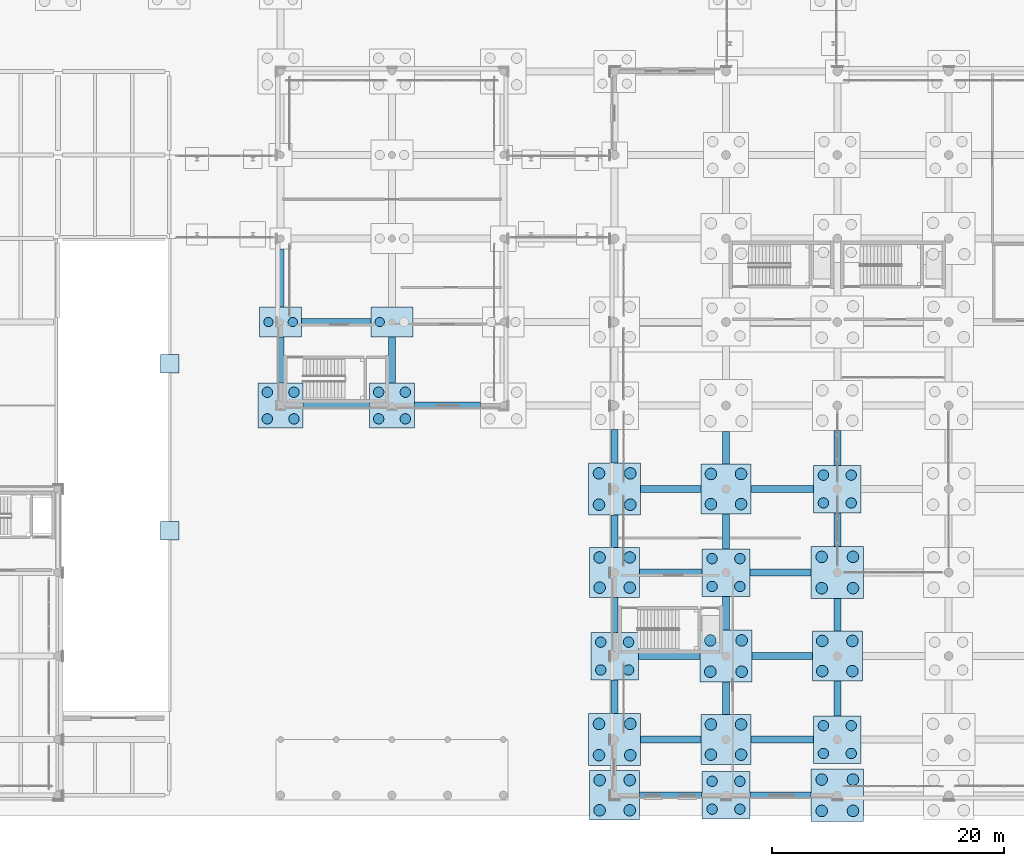
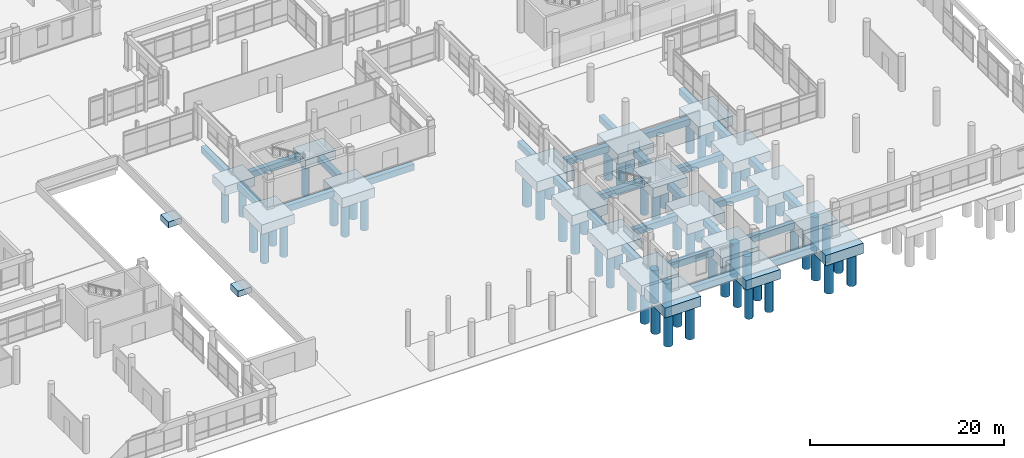
# One storey, part 1 of 196: 71 piles, 49 footings.
"""IFC4 building model written with IfcOpenShell, lengths in metres."""

from ifc_helpers import new_model, si_unit, direction, frame, origin, origin_2d, place, context, subcontext, project, spatial, rectangle, circle, extrude, material, material_profile, profile_set, type_object, element, save


model = new_model("IFC4")

# Units and contexts
model_context = context("Model", 3, precision=1e-05, world=origin(), true_north=direction((0.0, 1.0)))
body_context = subcontext(model_context, "Body", "Model", "MODEL_VIEW")
ifc_project = project(units=[si_unit("LENGTHUNIT", "METRE"), si_unit("AREAUNIT", "SQUARE_METRE"), si_unit("VOLUMEUNIT", "CUBIC_METRE"), si_unit("PLANEANGLEUNIT", "RADIAN"), si_unit("MASSUNIT", "GRAM", prefix="KILO")], contexts=[model_context])

# Site, building, storey
site_placement = place(None, origin())
site = spatial("IfcSite", under=ifc_project, at=site_placement, CompositionType="ELEMENT")
building_placement = place(site_placement, origin())
building = spatial("IfcBuilding", under=site, at=building_placement, Name="Asteropetra Specialist Clinic", CompositionType="ELEMENT")
storey_placement = place(building_placement, origin())
storey = spatial("IfcBuildingStorey", under=building, at=storey_placement, Name="L00", CompositionType="ELEMENT", Elevation=0.0)

# Footings
ifc_material_1 = material(Name="Concrete C35/45", Category="concrete")
ifc_material_profile_1 = material_profile(ifc_material_1, rectangle(XDim=0.60009765625, YDim=0.800048828125, at=origin_2d()), Name="FB 600x800")
ifc_profile_set_1 = profile_set([ifc_material_profile_1], Name="Concrete C35/45")
footing_type_1 = type_object("IfcFootingType", Name="FB-600x800", PredefinedType="FOOTING_BEAM", material=ifc_profile_set_1)
footing_1_placement = place(storey_placement, frame((78.75, 33.60009765625, -0.840087890625), z_axis=(1.0, 0.0, 0.0), x_axis=(0.0, 1.0, 0.0)))
element("IfcFooting", 1, at=footing_1_placement, inside=storey, type_object=footing_type_1, Name="Footing Tie Beam FB-0237", PredefinedType="FOOTING_BEAM", context=body_context, shape_type="SweptSolid", body=[
    extrude(rectangle(XDim=0.60009765625, YDim=0.800048828125, at=origin_2d()), origin(), (0.0, 0.0, 1.0), 5.699951171875),
])
footing_2_placement = place(storey_placement, frame((76.800048828125, 35.550048828125, -0.840087890625), z_axis=(0.0, 1.0, 0.0), x_axis=(-1.0, 0.0, 0.0)))
element("IfcFooting", 2, at=footing_2_placement, inside=storey, type_object=footing_type_1, Name="Footing Tie Beam FB-0238", PredefinedType="FOOTING_BEAM", context=body_context, shape_type="SweptSolid", body=[
    extrude(rectangle(XDim=0.60009765625, YDim=0.800048828125, at=origin_2d()), origin(), (0.0, 0.0, 1.0), 3.949951171875),
])
footing_3_placement = place(storey_placement, frame((78.60009765625, 40.800048828125, -0.840087890625), z_axis=(1.0, 0.0, 0.0), x_axis=(0.0, 1.0, 0.0)))
element("IfcFooting", 3, at=footing_3_placement, inside=storey, type_object=footing_type_1, Name="Footing Tie Beam FB-0239", PredefinedType="FOOTING_BEAM", context=body_context, shape_type="SweptSolid", body=[
    extrude(rectangle(XDim=0.60009765625, YDim=0.800048828125, at=origin_2d()), origin(), (0.0, 0.0, 1.0), 6.0),
])
footing_4_placement = place(storey_placement, frame((76.800048828125, 42.10009765625, -0.840087890625), z_axis=(0.0, 1.0, 0.0), x_axis=(-1.0, 0.0, 0.0)))
element("IfcFooting", 4, at=footing_4_placement, inside=storey, type_object=footing_type_1, Name="Footing Tie Beam FB-0240", PredefinedType="FOOTING_BEAM", context=body_context, shape_type="SweptSolid", body=[
    extrude(rectangle(XDim=0.60009765625, YDim=0.800048828125, at=origin_2d()), origin(), (0.0, 0.0, 1.0), 5.0),
])
footing_5_placement = place(storey_placement, frame((88.35009765625, 33.60009765625, -0.840087890625), z_axis=(1.0, 0.0, 0.0), x_axis=(0.0, 1.0, 0.0)))
element("IfcFooting", 5, at=footing_5_placement, inside=storey, type_object=footing_type_1, Name="Footing Tie Beam FB-0261", PredefinedType="FOOTING_BEAM", context=body_context, shape_type="SweptSolid", body=[
    extrude(rectangle(XDim=0.60009765625, YDim=0.800048828125, at=origin_2d()), origin(), (0.0, 0.0, 1.0), 5.699951171875),
])
footing_6_placement = place(storey_placement, frame((86.39990234375, 35.550048828125, -0.840087890625), z_axis=(0.0, 1.0, 0.0), x_axis=(-1.0, 0.0, 0.0)))
element("IfcFooting", 6, at=footing_6_placement, inside=storey, type_object=footing_type_1, Name="Footing Tie Beam FB-0262", PredefinedType="FOOTING_BEAM", context=body_context, shape_type="SweptSolid", body=[
    extrude(rectangle(XDim=0.60009765625, YDim=0.800048828125, at=origin_2d()), origin(), (0.0, 0.0, 1.0), 3.949951171875),
])
footing_7_placement = place(storey_placement, frame((107.75, 0.0, -0.840087890625), z_axis=(1.0, 0.0, 0.0), x_axis=(0.0, 1.0, 0.0)))
element("IfcFooting", 7, at=footing_7_placement, inside=storey, type_object=footing_type_1, Name="Footing Tie Beam FB-0297", PredefinedType="FOOTING_BEAM", context=body_context, shape_type="SweptSolid", body=[
    extrude(rectangle(XDim=0.60009765625, YDim=0.800048828125, at=origin_2d()), origin(), (0.0, 0.0, 1.0), 5.39990234375),
])
footing_8_placement = place(storey_placement, frame((107.85009765625, 4.800048828125, -0.840087890625), z_axis=(1.0, 0.0, 0.0), x_axis=(0.0, 1.0, 0.0)))
element("IfcFooting", 8, at=footing_8_placement, inside=storey, type_object=footing_type_1, Name="Footing Tie Beam FB-0298", PredefinedType="FOOTING_BEAM", context=body_context, shape_type="SweptSolid", body=[
    extrude(rectangle(XDim=0.60009765625, YDim=0.800048828125, at=origin_2d()), origin(), (0.0, 0.0, 1.0), 5.199951171875),
])
footing_9_placement = place(storey_placement, frame((105.60009765625, 7.050048828125, -0.840087890625), z_axis=(0.0, 1.0, 0.0), x_axis=(-1.0, 0.0, 0.0)))
element("IfcFooting", 9, at=footing_9_placement, inside=storey, type_object=footing_type_1, Name="Footing Tie Beam FB-0299", PredefinedType="FOOTING_BEAM", context=body_context, shape_type="SweptSolid", body=[
    extrude(rectangle(XDim=0.60009765625, YDim=0.800048828125, at=origin_2d()), origin(), (0.0, 0.0, 1.0), 2.89990234375),
])
footing_10_placement = place(storey_placement, frame((107.64990234375, 12.0, -0.840087890625), z_axis=(1.0, 0.0, 0.0), x_axis=(0.0, 1.0, 0.0)))
element("IfcFooting", 10, at=footing_10_placement, inside=storey, type_object=footing_type_1, Name="Footing Tie Beam FB-0300", PredefinedType="FOOTING_BEAM", context=body_context, shape_type="SweptSolid", body=[
    extrude(rectangle(XDim=0.60009765625, YDim=0.800048828125, at=origin_2d()), origin(), (0.0, 0.0, 1.0), 5.300048828125),
])
footing_11_placement = place(storey_placement, frame((105.60009765625, 14.050048828125, -0.840087890625), z_axis=(0.0, 1.0, 0.0), x_axis=(-1.0, 0.0, 0.0)))
element("IfcFooting", 11, at=footing_11_placement, inside=storey, type_object=footing_type_1, Name="Footing Tie Beam FB-0301", PredefinedType="FOOTING_BEAM", context=body_context, shape_type="SweptSolid", body=[
    extrude(rectangle(XDim=0.60009765625, YDim=0.800048828125, at=origin_2d()), origin(), (0.0, 0.0, 1.0), 3.0),
])
footing_12_placement = place(storey_placement, frame((107.75, 19.199951171875, -0.840087890625), z_axis=(1.0, 0.0, 0.0), x_axis=(0.0, 1.0, 0.0)))
element("IfcFooting", 12, at=footing_12_placement, inside=storey, type_object=footing_type_1, Name="Footing Tie Beam FB-0302", PredefinedType="FOOTING_BEAM", context=body_context, shape_type="SweptSolid", body=[
    extrude(rectangle(XDim=0.60009765625, YDim=0.800048828125, at=origin_2d()), origin(), (0.0, 0.0, 1.0), 5.39990234375),
])
footing_13_placement = place(storey_placement, frame((105.60009765625, 21.35009765625, -0.840087890625), z_axis=(0.0, 1.0, 0.0), x_axis=(-1.0, 0.0, 0.0)))
element("IfcFooting", 13, at=footing_13_placement, inside=storey, type_object=footing_type_1, Name="Footing Tie Beam FB-0303", PredefinedType="FOOTING_BEAM", context=body_context, shape_type="SweptSolid", body=[
    extrude(rectangle(XDim=0.60009765625, YDim=0.800048828125, at=origin_2d()), origin(), (0.0, 0.0, 1.0), 2.7998046875),
])
footing_14_placement = place(storey_placement, frame((107.85009765625, 26.39990234375, -0.840087890625), z_axis=(1.0, 0.0, 0.0), x_axis=(0.0, 1.0, 0.0)))
element("IfcFooting", 14, at=footing_14_placement, inside=storey, type_object=footing_type_1, Name="Footing Tie Beam FB-0304", PredefinedType="FOOTING_BEAM", context=body_context, shape_type="SweptSolid", body=[
    extrude(rectangle(XDim=0.60009765625, YDim=0.800048828125, at=origin_2d()), origin(), (0.0, 0.0, 1.0), 5.199951171875),
])
footing_15_placement = place(storey_placement, frame((105.60009765625, 28.64990234375, -0.840087890625), z_axis=(0.0, 1.0, 0.0), x_axis=(-1.0, 0.0, 0.0)))
element("IfcFooting", 15, at=footing_15_placement, inside=storey, type_object=footing_type_1, Name="Footing Tie Beam FB-0305", PredefinedType="FOOTING_BEAM", context=body_context, shape_type="SweptSolid", body=[
    extrude(rectangle(XDim=0.60009765625, YDim=0.800048828125, at=origin_2d()), origin(), (0.0, 0.0, 1.0), 2.900146484375),
])
footing_16_placement = place(storey_placement, frame((117.25, 0.0, -0.840087890625), z_axis=(1.0, 0.0, 0.0), x_axis=(0.0, 1.0, 0.0)))
element("IfcFooting", 16, at=footing_16_placement, inside=storey, type_object=footing_type_1, Name="Footing Tie Beam FB-0321", PredefinedType="FOOTING_BEAM", context=body_context, shape_type="SweptSolid", body=[
    extrude(rectangle(XDim=0.60009765625, YDim=0.800048828125, at=origin_2d()), origin(), (0.0, 0.0, 1.0), 5.300048828125),
])
footing_17_placement = place(storey_placement, frame((117.35009765625, 4.800048828125, -0.840087890625), z_axis=(1.0, 0.0, 0.0), x_axis=(0.0, 1.0, 0.0)))
element("IfcFooting", 17, at=footing_17_placement, inside=storey, type_object=footing_type_1, Name="Footing Tie Beam FB-0322", PredefinedType="FOOTING_BEAM", context=body_context, shape_type="SweptSolid", body=[
    extrude(rectangle(XDim=0.60009765625, YDim=0.800048828125, at=origin_2d()), origin(), (0.0, 0.0, 1.0), 5.39990234375),
])
footing_18_placement = place(storey_placement, frame((115.199951171875, 6.949951171875, -0.840087890625), z_axis=(0.0, 1.0, 0.0), x_axis=(-1.0, 0.0, 0.0)))
element("IfcFooting", 18, at=footing_18_placement, inside=storey, type_object=footing_type_1, Name="Footing Tie Beam FB-0323", PredefinedType="FOOTING_BEAM", context=body_context, shape_type="SweptSolid", body=[
    extrude(rectangle(XDim=0.60009765625, YDim=0.800048828125, at=origin_2d()), origin(), (0.0, 0.0, 1.0), 2.800048828125),
])
footing_19_placement = place(storey_placement, frame((117.449951171875, 12.0, -0.840087890625), z_axis=(1.0, 0.0, 0.0), x_axis=(0.0, 1.0, 0.0)))
element("IfcFooting", 19, at=footing_19_placement, inside=storey, type_object=footing_type_1, Name="Footing Tie Beam FB-0324", PredefinedType="FOOTING_BEAM", context=body_context, shape_type="SweptSolid", body=[
    extrude(rectangle(XDim=0.60009765625, YDim=0.800048828125, at=origin_2d()), origin(), (0.0, 0.0, 1.0), 5.199951171875),
])
footing_20_placement = place(storey_placement, frame((115.199951171875, 14.25, -0.840087890625), z_axis=(0.0, 1.0, 0.0), x_axis=(-1.0, 0.0, 0.0)))
element("IfcFooting", 20, at=footing_20_placement, inside=storey, type_object=footing_type_1, Name="Footing Tie Beam FB-0325", PredefinedType="FOOTING_BEAM", context=body_context, shape_type="SweptSolid", body=[
    extrude(rectangle(XDim=0.60009765625, YDim=0.800048828125, at=origin_2d()), origin(), (0.0, 0.0, 1.0), 2.89990234375),
])
footing_21_placement = place(storey_placement, frame((117.25, 19.199951171875, -0.840087890625), z_axis=(1.0, 0.0, 0.0), x_axis=(0.0, 1.0, 0.0)))
element("IfcFooting", 21, at=footing_21_placement, inside=storey, type_object=footing_type_1, Name="Footing Tie Beam FB-0326", PredefinedType="FOOTING_BEAM", context=body_context, shape_type="SweptSolid", body=[
    extrude(rectangle(XDim=0.60009765625, YDim=0.800048828125, at=origin_2d()), origin(), (0.0, 0.0, 1.0), 5.300048828125),
])
footing_22_placement = place(storey_placement, frame((115.199951171875, 21.25, -0.840087890625), z_axis=(0.0, 1.0, 0.0), x_axis=(-1.0, 0.0, 0.0)))
element("IfcFooting", 22, at=footing_22_placement, inside=storey, type_object=footing_type_1, Name="Footing Tie Beam FB-0327", PredefinedType="FOOTING_BEAM", context=body_context, shape_type="SweptSolid", body=[
    extrude(rectangle(XDim=0.60009765625, YDim=0.800048828125, at=origin_2d()), origin(), (0.0, 0.0, 1.0), 3.0),
])
footing_23_placement = place(storey_placement, frame((117.35009765625, 26.39990234375, -0.840087890625), z_axis=(1.0, 0.0, 0.0), x_axis=(0.0, 1.0, 0.0)))
element("IfcFooting", 23, at=footing_23_placement, inside=storey, type_object=footing_type_1, Name="Footing Tie Beam FB-0328", PredefinedType="FOOTING_BEAM", context=body_context, shape_type="SweptSolid", body=[
    extrude(rectangle(XDim=0.60009765625, YDim=0.800048828125, at=origin_2d()), origin(), (0.0, 0.0, 1.0), 5.39990234375),
])
footing_24_placement = place(storey_placement, frame((115.199951171875, 28.550048828125, -0.840087890625), z_axis=(0.0, 1.0, 0.0), x_axis=(-1.0, 0.0, 0.0)))
element("IfcFooting", 24, at=footing_24_placement, inside=storey, type_object=footing_type_1, Name="Footing Tie Beam FB-0329", PredefinedType="FOOTING_BEAM", context=body_context, shape_type="SweptSolid", body=[
    extrude(rectangle(XDim=0.60009765625, YDim=0.800048828125, at=origin_2d()), origin(), (0.0, 0.0, 1.0), 2.800048828125),
])
footing_25_placement = place(storey_placement, frame((124.800048828125, 6.85009765625, -0.840087890625), z_axis=(0.0, 1.0, 0.0), x_axis=(-1.0, 0.0, 0.0)))
element("IfcFooting", 25, at=footing_25_placement, inside=storey, type_object=footing_type_1, Name="Footing Tie Beam FB-0347", PredefinedType="FOOTING_BEAM", context=body_context, shape_type="SweptSolid", body=[
    extrude(rectangle(XDim=0.60009765625, YDim=0.800048828125, at=origin_2d()), origin(), (0.0, 0.0, 1.0), 3.0),
])
footing_26_placement = place(storey_placement, frame((124.800048828125, 14.14990234375, -0.840087890625), z_axis=(0.0, 1.0, 0.0), x_axis=(-1.0, 0.0, 0.0)))
element("IfcFooting", 26, at=footing_26_placement, inside=storey, type_object=footing_type_1, Name="Footing Tie Beam FB-0349", PredefinedType="FOOTING_BEAM", context=body_context, shape_type="SweptSolid", body=[
    extrude(rectangle(XDim=0.60009765625, YDim=0.800048828125, at=origin_2d()), origin(), (0.0, 0.0, 1.0), 2.800048828125),
])
footing_27_placement = place(storey_placement, frame((124.800048828125, 21.449951171875, -0.840087890625), z_axis=(0.0, 1.0, 0.0), x_axis=(-1.0, 0.0, 0.0)))
element("IfcFooting", 27, at=footing_27_placement, inside=storey, type_object=footing_type_1, Name="Footing Tie Beam FB-0351", PredefinedType="FOOTING_BEAM", context=body_context, shape_type="SweptSolid", body=[
    extrude(rectangle(XDim=0.60009765625, YDim=0.800048828125, at=origin_2d()), origin(), (0.0, 0.0, 1.0), 2.900146484375),
])
footing_28_placement = place(storey_placement, frame((124.800048828125, 28.449951171875, -0.840087890625), z_axis=(0.0, 1.0, 0.0), x_axis=(-1.0, 0.0, 0.0)))
element("IfcFooting", 28, at=footing_28_placement, inside=storey, type_object=footing_type_1, Name="Footing Tie Beam FB-0353", PredefinedType="FOOTING_BEAM", context=body_context, shape_type="SweptSolid", body=[
    extrude(rectangle(XDim=0.60009765625, YDim=0.800048828125, at=origin_2d()), origin(), (0.0, 0.0, 1.0), 3.0),
])
ifc_material_2 = material(Name="Concrete C35/45", Category="concrete")
footing_type_2 = type_object("IfcFootingType", Name="PC-2600", PredefinedType="PILE_CAP", material=ifc_material_2)
for number, where, z_axis, x_axis, name in (
    (29, (76.800048828125, 40.800048828125, -1.5400390625), (0.0, 0.0, 1.0), (1.0, 0.0, 0.0), "Pile Cap PC-01-152"),
    (30, (86.39990234375, 40.800048828125, -1.5400390625), (0.0, 0.0, 1.0), (1.0, 0.0, 0.0), "Pile Cap PC-01-172"),
):
    element("IfcFooting", number, at=place(storey_placement, frame(where, z_axis=z_axis, x_axis=x_axis)), inside=storey, type_object=footing_type_2, Name=name, PredefinedType="PILE_CAP", context=body_context, shape_type="SweptSolid", body=[
        extrude(rectangle(XDim=3.60009765625, YDim=2.60009765625, at=origin_2d()), origin(), (0.0, 0.0, 1.0), 1.10009765625),
    ])
ifc_material_3 = material(Name="Concrete C35/45", Category="concrete")
footing_type_3 = type_object("IfcFootingType", Name="PC-3000", PredefinedType="PILE_CAP", material=ifc_material_3)
for number, where, z_axis, x_axis, name in (
    (31, (76.800048828125, 33.60009765625, -1.64013671875), (0.0, 0.0, 1.0), (1.0, 0.0, 0.0), "Pile Cap PC-03-151"),
    (32, (86.39990234375, 33.60009765625, -1.64013671875), (0.0, 0.0, 1.0), (1.0, 0.0, 0.0), "Pile Cap PC-03-171"),
):
    element("IfcFooting", number, at=place(storey_placement, frame(where, z_axis=z_axis, x_axis=x_axis)), inside=storey, type_object=footing_type_3, Name=name, PredefinedType="PILE_CAP", context=body_context, shape_type="SweptSolid", body=[
        extrude(rectangle(XDim=3.89990234375, YDim=3.89990234375, at=origin_2d()), origin(), (0.0, 0.0, 1.0), 1.199951171875),
    ])
ifc_material_4 = material(Name="Concrete C35/45", Category="concrete")
footing_type_4 = type_object("IfcFootingType", Name="PC-3200", PredefinedType="PILE_CAP", material=ifc_material_4)
for number, where, z_axis, x_axis, name in (
    (33, (105.60009765625, 12.0, -1.64013671875), (0.0, 0.0, 1.0), (1.0, 0.0, 0.0), "Pile Cap PC-04-201"),
    (34, (115.199951171875, 0.0, -1.64013671875), (0.0, 0.0, 1.0), (1.0, 0.0, 0.0), "Pile Cap PC-04-213"),
    (35, (115.199951171875, 19.199951171875, -1.64013671875), (0.0, 0.0, 1.0), (1.0, 0.0, 0.0), "Pile Cap PC-04-216"),
    (36, (124.800048828125, 4.800048828125, -1.64013671875), (0.0, 0.0, 1.0), (1.0, 0.0, 0.0), "Pile Cap PC-04-234"),
    (37, (124.800048828125, 26.39990234375, -1.64013671875), (0.0, 0.0, 1.0), (1.0, 0.0, 0.0), "Pile Cap PC-04-237"),
):
    element("IfcFooting", number, at=place(storey_placement, frame(where, z_axis=z_axis, x_axis=x_axis)), inside=storey, type_object=footing_type_4, Name=name, PredefinedType="PILE_CAP", context=body_context, shape_type="SweptSolid", body=[
        extrude(rectangle(XDim=4.10009765625, YDim=4.10009765625, at=origin_2d()), origin(), (0.0, 0.0, 1.0), 1.199951171875),
    ])
ifc_material_5 = material(Name="Concrete C35/45", Category="concrete")
footing_type_5 = type_object("IfcFootingType", Name="PC-3400", PredefinedType="PILE_CAP", material=ifc_material_5)
for number, where, z_axis, x_axis, name in (
    (38, (105.60009765625, 0.0, -1.68994140625), (0.0, 0.0, 1.0), (1.0, 0.0, 0.0), "Pile Cap PC-05-199"),
    (39, (105.60009765625, 19.199951171875, -1.68994140625), (0.0, 0.0, 1.0), (1.0, 0.0, 0.0), "Pile Cap PC-05-202"),
    (40, (115.199951171875, 4.800048828125, -1.68994140625), (0.0, 0.0, 1.0), (1.0, 0.0, 0.0), "Pile Cap PC-05-214"),
    (41, (115.199951171875, 26.39990234375, -1.68994140625), (0.0, 0.0, 1.0), (1.0, 0.0, 0.0), "Pile Cap PC-05-217"),
    (42, (124.800048828125, 12.0, -1.68994140625), (0.0, 0.0, 1.0), (1.0, 0.0, 0.0), "Pile Cap PC-05-235"),
):
    element("IfcFooting", number, at=place(storey_placement, frame(where, z_axis=z_axis, x_axis=x_axis)), inside=storey, type_object=footing_type_5, Name=name, PredefinedType="PILE_CAP", context=body_context, shape_type="SweptSolid", body=[
        extrude(rectangle(XDim=4.300048828125, YDim=4.300048828125, at=origin_2d()), origin(), (0.0, 0.0, 1.0), 1.25),
    ])
ifc_material_6 = material(Name="Concrete C35/45", Category="concrete")
footing_type_6 = type_object("IfcFootingType", Name="PC-3600", PredefinedType="PILE_CAP", material=ifc_material_6)
for number, where, z_axis, x_axis, name in (
    (43, (105.60009765625, 4.800048828125, -1.740234375), (0.0, 0.0, 1.0), (1.0, 0.0, 0.0), "Pile Cap PC-06-200"),
    (44, (105.60009765625, 26.39990234375, -1.740234375), (0.0, 0.0, 1.0), (1.0, 0.0, 0.0), "Pile Cap PC-06-203"),
    (45, (115.199951171875, 12.0, -1.740234375), (0.0, 0.0, 1.0), (1.0, 0.0, 0.0), "Pile Cap PC-06-215"),
    (46, (124.800048828125, 0.0, -1.740234375), (0.0, 0.0, 1.0), (1.0, 0.0, 0.0), "Pile Cap PC-06-233"),
    (47, (124.800048828125, 19.199951171875, -1.740234375), (0.0, 0.0, 1.0), (1.0, 0.0, 0.0), "Pile Cap PC-06-236"),
):
    element("IfcFooting", number, at=place(storey_placement, frame(where, z_axis=z_axis, x_axis=x_axis)), inside=storey, type_object=footing_type_6, Name=name, PredefinedType="PILE_CAP", context=body_context, shape_type="SweptSolid", body=[
        extrude(rectangle(XDim=4.5, YDim=4.5, at=origin_2d()), origin(), (0.0, 0.0, 1.0), 1.300048828125),
    ])
ifc_material_7 = material(Name="Concrete C35/45", Category="concrete")
footing_type_7 = type_object("IfcFootingType", Name="PF-1600", PredefinedType="PAD_FOOTING", material=ifc_material_7)
for number, where, z_axis, x_axis, name in (
    (48, (67.25, 22.800048828125, -0.75), (0.0, 0.0, 1.0), (1.0, 0.0, 0.0), "Pad Footing PF-01-901"),
    (49, (67.25, 37.199951171875, -0.75), (0.0, 0.0, 1.0), (1.0, 0.0, 0.0), "Pad Footing PF-01-902"),
):
    element("IfcFooting", number, at=place(storey_placement, frame(where, z_axis=z_axis, x_axis=x_axis)), inside=storey, type_object=footing_type_7, Name=name, PredefinedType="PAD_FOOTING", context=body_context, shape_type="SweptSolid", body=[
        extrude(rectangle(XDim=1.60009765625, YDim=1.60009765625, at=origin_2d()), origin(), (0.0, 0.0, 1.0), 0.75),
    ])

# Piles
ifc_material_8 = material(Name="Concrete C35/45", Category="concrete")
ifc_material_profile_2 = material_profile(ifc_material_8, circle(Radius=0.5, at=origin_2d()), Name="PILE D1000")
ifc_profile_set_2 = profile_set([ifc_material_profile_2], Name="Concrete C35/45")
pile_type_1 = type_object("IfcPileType", Name="PILE-B1000", PredefinedType="BORED", material=ifc_profile_set_2)
for number, where, z_axis, x_axis, name in (
    (50, (104.300048828125, -1.300048828125, -1.590087890625), (0.0, 0.0, -1.0), (1.0, 0.0, 0.0), "Bored Pile PPL03-199-1"),
    (51, (106.89990234375, -1.300048828125, -1.590087890625), (0.0, 0.0, -1.0), (1.0, 0.0, 0.0), "Bored Pile PPL03-199-2"),
    (52, (104.300048828125, 1.300048828125, -1.590087890625), (0.0, 0.0, -1.0), (1.0, 0.0, 0.0), "Bored Pile PPL03-199-3"),
    (53, (106.89990234375, 1.300048828125, -1.590087890625), (0.0, 0.0, -1.0), (1.0, 0.0, 0.0), "Bored Pile PPL03-199-4"),
):
    element("IfcPile", number, at=place(storey_placement, frame(where, z_axis=z_axis, x_axis=x_axis)), inside=storey, type_object=pile_type_1, Name=name, PredefinedType="BORED", context=body_context, shape_type="SweptSolid", body=[
        extrude(circle(Radius=0.5, at=origin_2d()), origin(), (0.0, 0.0, 1.0), 4.2099609375),
    ])
for number, where, z_axis, x_axis, name in (
    (54, (104.25, 3.449951171875, -1.639892578125), (0.0, 0.0, -1.0), (1.0, 0.0, 0.0), "Bored Pile PPL03-200-1"),
    (55, (106.949951171875, 3.449951171875, -1.639892578125), (0.0, 0.0, -1.0), (1.0, 0.0, 0.0), "Bored Pile PPL03-200-2"),
    (56, (104.25, 6.14990234375, -1.639892578125), (0.0, 0.0, -1.0), (1.0, 0.0, 0.0), "Bored Pile PPL03-200-3"),
    (57, (106.949951171875, 6.14990234375, -1.639892578125), (0.0, 0.0, -1.0), (1.0, 0.0, 0.0), "Bored Pile PPL03-200-4"),
):
    element("IfcPile", number, at=place(storey_placement, frame(where, z_axis=z_axis, x_axis=x_axis)), inside=storey, type_object=pile_type_1, Name=name, PredefinedType="BORED", context=body_context, shape_type="SweptSolid", body=[
        extrude(circle(Radius=0.5, at=origin_2d()), origin(), (0.0, 0.0, 1.0), 4.159912109375),
    ])
for number, where, z_axis, x_axis, name in (
    (58, (104.300048828125, 17.89990234375, -1.590087890625), (0.0, 0.0, -1.0), (1.0, 0.0, 0.0), "Bored Pile PPL03-202-1"),
    (59, (106.89990234375, 17.89990234375, -1.590087890625), (0.0, 0.0, -1.0), (1.0, 0.0, 0.0), "Bored Pile PPL03-202-2"),
    (60, (104.300048828125, 20.5, -1.590087890625), (0.0, 0.0, -1.0), (1.0, 0.0, 0.0), "Bored Pile PPL03-202-3"),
    (61, (106.89990234375, 20.5, -1.590087890625), (0.0, 0.0, -1.0), (1.0, 0.0, 0.0), "Bored Pile PPL03-202-4"),
):
    element("IfcPile", number, at=place(storey_placement, frame(where, z_axis=z_axis, x_axis=x_axis)), inside=storey, type_object=pile_type_1, Name=name, PredefinedType="BORED", context=body_context, shape_type="SweptSolid", body=[
        extrude(circle(Radius=0.5, at=origin_2d()), origin(), (0.0, 0.0, 1.0), 4.2099609375),
    ])
for number, where, z_axis, x_axis, name in (
    (62, (104.25, 25.050048828125, -1.639892578125), (0.0, 0.0, -1.0), (1.0, 0.0, 0.0), "Bored Pile PPL03-203-1"),
    (63, (106.949951171875, 25.050048828125, -1.639892578125), (0.0, 0.0, -1.0), (1.0, 0.0, 0.0), "Bored Pile PPL03-203-2"),
    (64, (104.25, 27.75, -1.639892578125), (0.0, 0.0, -1.0), (1.0, 0.0, 0.0), "Bored Pile PPL03-203-3"),
    (65, (106.949951171875, 27.75, -1.639892578125), (0.0, 0.0, -1.0), (1.0, 0.0, 0.0), "Bored Pile PPL03-203-4"),
):
    element("IfcPile", number, at=place(storey_placement, frame(where, z_axis=z_axis, x_axis=x_axis)), inside=storey, type_object=pile_type_1, Name=name, PredefinedType="BORED", context=body_context, shape_type="SweptSolid", body=[
        extrude(circle(Radius=0.5, at=origin_2d()), origin(), (0.0, 0.0, 1.0), 4.159912109375),
    ])
for number, where, z_axis, x_axis, name in (
    (66, (113.89990234375, 3.5, -1.590087890625), (0.0, 0.0, -1.0), (1.0, 0.0, 0.0), "Bored Pile PPL03-214-1"),
    (67, (116.5, 3.5, -1.590087890625), (0.0, 0.0, -1.0), (1.0, 0.0, 0.0), "Bored Pile PPL03-214-2"),
    (68, (113.89990234375, 6.10009765625, -1.590087890625), (0.0, 0.0, -1.0), (1.0, 0.0, 0.0), "Bored Pile PPL03-214-3"),
    (69, (116.5, 6.10009765625, -1.590087890625), (0.0, 0.0, -1.0), (1.0, 0.0, 0.0), "Bored Pile PPL03-214-4"),
):
    element("IfcPile", number, at=place(storey_placement, frame(where, z_axis=z_axis, x_axis=x_axis)), inside=storey, type_object=pile_type_1, Name=name, PredefinedType="BORED", context=body_context, shape_type="SweptSolid", body=[
        extrude(circle(Radius=0.5, at=origin_2d()), origin(), (0.0, 0.0, 1.0), 4.2099609375),
    ])
for number, where, z_axis, x_axis, name in (
    (70, (113.85009765625, 10.64990234375, -1.639892578125), (0.0, 0.0, -1.0), (1.0, 0.0, 0.0), "Bored Pile PPL03-215-1"),
    (71, (116.550048828125, 10.64990234375, -1.639892578125), (0.0, 0.0, -1.0), (1.0, 0.0, 0.0), "Bored Pile PPL03-215-2"),
    (72, (113.85009765625, 13.35009765625, -1.639892578125), (0.0, 0.0, -1.0), (1.0, 0.0, 0.0), "Bored Pile PPL03-215-3"),
    (73, (116.550048828125, 13.35009765625, -1.639892578125), (0.0, 0.0, -1.0), (1.0, 0.0, 0.0), "Bored Pile PPL03-215-4"),
):
    element("IfcPile", number, at=place(storey_placement, frame(where, z_axis=z_axis, x_axis=x_axis)), inside=storey, type_object=pile_type_1, Name=name, PredefinedType="BORED", context=body_context, shape_type="SweptSolid", body=[
        extrude(circle(Radius=0.5, at=origin_2d()), origin(), (0.0, 0.0, 1.0), 4.159912109375),
    ])
for number, where, z_axis, x_axis, name in (
    (74, (113.89990234375, 25.10009765625, -1.590087890625), (0.0, 0.0, -1.0), (1.0, 0.0, 0.0), "Bored Pile PPL03-217-1"),
    (75, (116.5, 25.10009765625, -1.590087890625), (0.0, 0.0, -1.0), (1.0, 0.0, 0.0), "Bored Pile PPL03-217-2"),
    (76, (113.89990234375, 27.699951171875, -1.590087890625), (0.0, 0.0, -1.0), (1.0, 0.0, 0.0), "Bored Pile PPL03-217-3"),
    (77, (116.5, 27.699951171875, -1.590087890625), (0.0, 0.0, -1.0), (1.0, 0.0, 0.0), "Bored Pile PPL03-217-4"),
):
    element("IfcPile", number, at=place(storey_placement, frame(where, z_axis=z_axis, x_axis=x_axis)), inside=storey, type_object=pile_type_1, Name=name, PredefinedType="BORED", context=body_context, shape_type="SweptSolid", body=[
        extrude(circle(Radius=0.5, at=origin_2d()), origin(), (0.0, 0.0, 1.0), 4.2099609375),
    ])
for number, where, z_axis, x_axis, name in (
    (78, (123.449951171875, -1.35009765625, -1.639892578125), (0.0, 0.0, -1.0), (1.0, 0.0, 0.0), "Bored Pile PPL03-233-1"),
    (79, (126.14990234375, -1.35009765625, -1.639892578125), (0.0, 0.0, -1.0), (1.0, 0.0, 0.0), "Bored Pile PPL03-233-2"),
    (80, (123.449951171875, 1.35009765625, -1.639892578125), (0.0, 0.0, -1.0), (1.0, 0.0, 0.0), "Bored Pile PPL03-233-3"),
    (81, (126.14990234375, 1.35009765625, -1.639892578125), (0.0, 0.0, -1.0), (1.0, 0.0, 0.0), "Bored Pile PPL03-233-4"),
):
    element("IfcPile", number, at=place(storey_placement, frame(where, z_axis=z_axis, x_axis=x_axis)), inside=storey, type_object=pile_type_1, Name=name, PredefinedType="BORED", context=body_context, shape_type="SweptSolid", body=[
        extrude(circle(Radius=0.5, at=origin_2d()), origin(), (0.0, 0.0, 1.0), 4.159912109375),
    ])
for number, where, z_axis, x_axis, name in (
    (82, (123.5, 10.699951171875, -1.590087890625), (0.0, 0.0, -1.0), (1.0, 0.0, 0.0), "Bored Pile PPL03-235-1"),
    (83, (126.10009765625, 10.699951171875, -1.590087890625), (0.0, 0.0, -1.0), (1.0, 0.0, 0.0), "Bored Pile PPL03-235-2"),
    (84, (123.5, 13.300048828125, -1.590087890625), (0.0, 0.0, -1.0), (1.0, 0.0, 0.0), "Bored Pile PPL03-235-3"),
    (85, (126.10009765625, 13.300048828125, -1.590087890625), (0.0, 0.0, -1.0), (1.0, 0.0, 0.0), "Bored Pile PPL03-235-4"),
):
    element("IfcPile", number, at=place(storey_placement, frame(where, z_axis=z_axis, x_axis=x_axis)), inside=storey, type_object=pile_type_1, Name=name, PredefinedType="BORED", context=body_context, shape_type="SweptSolid", body=[
        extrude(circle(Radius=0.5, at=origin_2d()), origin(), (0.0, 0.0, 1.0), 4.2099609375),
    ])
for number, where, z_axis, x_axis, name in (
    (86, (123.449951171875, 17.85009765625, -1.639892578125), (0.0, 0.0, -1.0), (1.0, 0.0, 0.0), "Bored Pile PPL03-236-1"),
    (87, (126.14990234375, 17.85009765625, -1.639892578125), (0.0, 0.0, -1.0), (1.0, 0.0, 0.0), "Bored Pile PPL03-236-2"),
    (88, (123.449951171875, 20.550048828125, -1.639892578125), (0.0, 0.0, -1.0), (1.0, 0.0, 0.0), "Bored Pile PPL03-236-3"),
    (89, (126.14990234375, 20.550048828125, -1.639892578125), (0.0, 0.0, -1.0), (1.0, 0.0, 0.0), "Bored Pile PPL03-236-4"),
):
    element("IfcPile", number, at=place(storey_placement, frame(where, z_axis=z_axis, x_axis=x_axis)), inside=storey, type_object=pile_type_1, Name=name, PredefinedType="BORED", context=body_context, shape_type="SweptSolid", body=[
        extrude(circle(Radius=0.5, at=origin_2d()), origin(), (0.0, 0.0, 1.0), 4.159912109375),
    ])
ifc_material_9 = material(Name="Concrete C35/45", Category="concrete")
ifc_material_profile_3 = material_profile(ifc_material_9, circle(Radius=0.39990234375, at=origin_2d()), Name="PILE D800")
ifc_profile_set_3 = profile_set([ifc_material_profile_3], Name="Concrete C35/45")
pile_type_2 = type_object("IfcPileType", Name="PILE-B800", PredefinedType="BORED", material=ifc_profile_set_3)
for number, where, z_axis, x_axis, name in (
    (90, (75.75, 40.800048828125, -1.43994140625), (0.0, 0.0, -1.0), (1.0, 0.0, 0.0), "Bored Pile PPL01-152-1"),
    (91, (77.85009765625, 40.800048828125, -1.43994140625), (0.0, 0.0, -1.0), (1.0, 0.0, 0.0), "Bored Pile PPL01-152-2"),
    (92, (85.35009765625, 40.800048828125, -1.43994140625), (0.0, 0.0, -1.0), (1.0, 0.0, 0.0), "Bored Pile PPL01-172-1"),
):
    element("IfcPile", number, at=place(storey_placement, frame(where, z_axis=z_axis, x_axis=x_axis)), inside=storey, type_object=pile_type_2, Name=name, PredefinedType="BORED", context=body_context, shape_type="SweptSolid", body=[
        extrude(circle(Radius=0.39990234375, at=origin_2d()), origin(), (0.0, 0.0, 1.0), 4.360107421875),
    ])
ifc_material_10 = material(Name="Concrete C35/45", Category="concrete")
ifc_material_profile_4 = material_profile(ifc_material_10, circle(Radius=0.449951171875, at=origin_2d()), Name="PILE D900")
ifc_profile_set_4 = profile_set([ifc_material_profile_4], Name="Concrete C35/45")
pile_type_3 = type_object("IfcPileType", Name="PILE-B900", PredefinedType="BORED", material=ifc_profile_set_4)
for number, where, z_axis, x_axis, name in (
    (93, (75.64990234375, 32.449951171875, -1.5400390625), (0.0, 0.0, -1.0), (1.0, 0.0, 0.0), "Bored Pile PPL02-151-1"),
    (94, (77.949951171875, 32.449951171875, -1.5400390625), (0.0, 0.0, -1.0), (1.0, 0.0, 0.0), "Bored Pile PPL02-151-2"),
    (95, (75.64990234375, 34.75, -1.5400390625), (0.0, 0.0, -1.0), (1.0, 0.0, 0.0), "Bored Pile PPL02-151-3"),
    (96, (77.949951171875, 34.75, -1.5400390625), (0.0, 0.0, -1.0), (1.0, 0.0, 0.0), "Bored Pile PPL02-151-4"),
    (97, (85.25, 32.449951171875, -1.5400390625), (0.0, 0.0, -1.0), (1.0, 0.0, 0.0), "Bored Pile PPL02-171-1"),
    (98, (87.550048828125, 32.449951171875, -1.5400390625), (0.0, 0.0, -1.0), (1.0, 0.0, 0.0), "Bored Pile PPL02-171-2"),
    (99, (85.25, 34.75, -1.5400390625), (0.0, 0.0, -1.0), (1.0, 0.0, 0.0), "Bored Pile PPL02-171-3"),
    (100, (87.550048828125, 34.75, -1.5400390625), (0.0, 0.0, -1.0), (1.0, 0.0, 0.0), "Bored Pile PPL02-171-4"),
    (101, (104.39990234375, 10.800048828125, -1.5400390625), (0.0, 0.0, -1.0), (1.0, 0.0, 0.0), "Bored Pile PPL02-201-1"),
    (102, (106.800048828125, 10.800048828125, -1.5400390625), (0.0, 0.0, -1.0), (1.0, 0.0, 0.0), "Bored Pile PPL02-201-2"),
    (103, (104.39990234375, 13.199951171875, -1.5400390625), (0.0, 0.0, -1.0), (1.0, 0.0, 0.0), "Bored Pile PPL02-201-3"),
    (104, (106.800048828125, 13.199951171875, -1.5400390625), (0.0, 0.0, -1.0), (1.0, 0.0, 0.0), "Bored Pile PPL02-201-4"),
    (105, (114.0, -1.199951171875, -1.5400390625), (0.0, 0.0, -1.0), (1.0, 0.0, 0.0), "Bored Pile PPL02-213-1"),
    (106, (116.39990234375, -1.199951171875, -1.5400390625), (0.0, 0.0, -1.0), (1.0, 0.0, 0.0), "Bored Pile PPL02-213-2"),
    (107, (114.0, 1.199951171875, -1.5400390625), (0.0, 0.0, -1.0), (1.0, 0.0, 0.0), "Bored Pile PPL02-213-3"),
    (108, (116.39990234375, 1.199951171875, -1.5400390625), (0.0, 0.0, -1.0), (1.0, 0.0, 0.0), "Bored Pile PPL02-213-4"),
    (109, (114.0, 18.0, -1.5400390625), (0.0, 0.0, -1.0), (1.0, 0.0, 0.0), "Bored Pile PPL02-216-1"),
    (110, (116.39990234375, 18.0, -1.5400390625), (0.0, 0.0, -1.0), (1.0, 0.0, 0.0), "Bored Pile PPL02-216-2"),
    (111, (114.0, 20.39990234375, -1.5400390625), (0.0, 0.0, -1.0), (1.0, 0.0, 0.0), "Bored Pile PPL02-216-3"),
    (112, (116.39990234375, 20.39990234375, -1.5400390625), (0.0, 0.0, -1.0), (1.0, 0.0, 0.0), "Bored Pile PPL02-216-4"),
    (113, (123.60009765625, 3.60009765625, -1.5400390625), (0.0, 0.0, -1.0), (1.0, 0.0, 0.0), "Bored Pile PPL02-234-1"),
    (114, (126.0, 3.60009765625, -1.5400390625), (0.0, 0.0, -1.0), (1.0, 0.0, 0.0), "Bored Pile PPL02-234-2"),
    (115, (123.60009765625, 6.0, -1.5400390625), (0.0, 0.0, -1.0), (1.0, 0.0, 0.0), "Bored Pile PPL02-234-3"),
    (116, (126.0, 6.0, -1.5400390625), (0.0, 0.0, -1.0), (1.0, 0.0, 0.0), "Bored Pile PPL02-234-4"),
    (117, (123.60009765625, 25.199951171875, -1.5400390625), (0.0, 0.0, -1.0), (1.0, 0.0, 0.0), "Bored Pile PPL02-237-1"),
    (118, (126.0, 25.199951171875, -1.5400390625), (0.0, 0.0, -1.0), (1.0, 0.0, 0.0), "Bored Pile PPL02-237-2"),
    (119, (123.60009765625, 27.60009765625, -1.5400390625), (0.0, 0.0, -1.0), (1.0, 0.0, 0.0), "Bored Pile PPL02-237-3"),
    (120, (126.0, 27.60009765625, -1.5400390625), (0.0, 0.0, -1.0), (1.0, 0.0, 0.0), "Bored Pile PPL02-237-4"),
):
    element("IfcPile", number, at=place(storey_placement, frame(where, z_axis=z_axis, x_axis=x_axis)), inside=storey, type_object=pile_type_3, Name=name, PredefinedType="BORED", context=body_context, shape_type="SweptSolid", body=[
        extrude(circle(Radius=0.449951171875, at=origin_2d()), origin(), (0.0, 0.0, 1.0), 4.260009765625),
    ])

save(model, "model.ifc")
